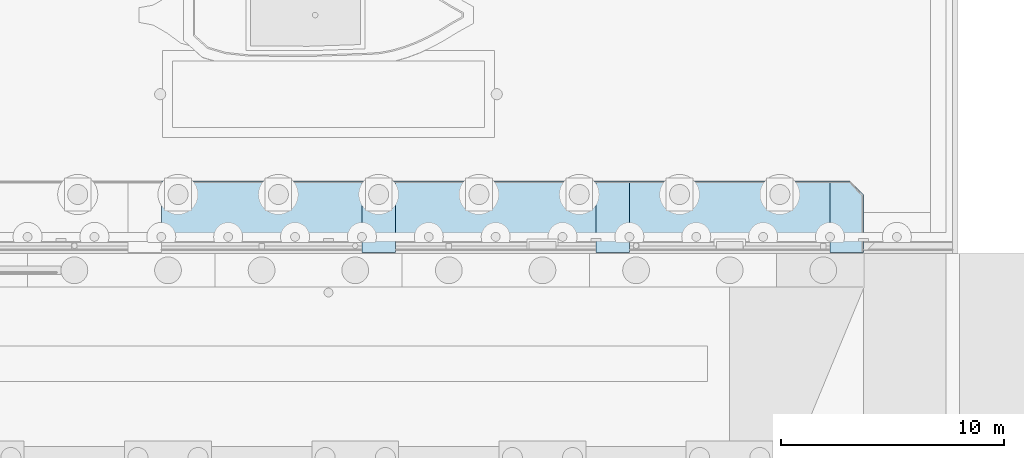
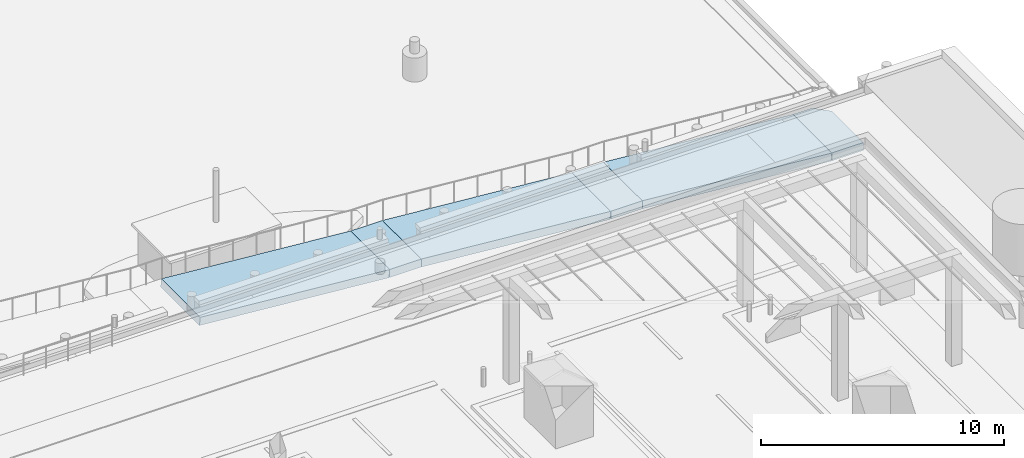
# One storey, part 87 of 222: 6 slabs.
"""IFC4 building model written with IfcOpenShell, lengths in metres."""

import ifcopenshell
import ifcopenshell.guid

model = None  # the IFC model being written
_history = None  # IfcOwnerHistory: only IFC2X3 demands one
_inside = {}  # id of a spatial element -> (the spatial element, [elements in it])
_under = {}  # id of a project, library or spatial element -> (it, [spatial elements below it])
_declared = {}  # id of a project -> (the project, [libraries it declares])
_typed = {}  # id of a type object -> (the type object, [elements of that type])
_made_of = {}  # id of a material, layer set ... -> (it, [elements and type objects made of it])


def new_model(schema):
    """Start an empty IFC model of exactly this schema.

    Asked for "IFC4X3", IfcOpenShell would pick the latest addendum, in which some entities
    have other attributes; the version numbers below select the first issue.
    IFC2X3 requires an IfcOwnerHistory on every rooted entity: one is made here for all.
    """
    global model, _history
    if schema == "IFC4X3":
        model = ifcopenshell.file(schema_version=(4, 3, 0, 0))
    else:
        model = ifcopenshell.file(schema=schema)
    _inside.clear()
    _under.clear()
    _declared.clear()
    _typed.clear()
    _made_of.clear()
    _history = None
    if model.schema == "IFC2X3":
        org = make("IfcOrganization", Name="unknown")
        user = make(
            "IfcPersonAndOrganization",
            ThePerson=make("IfcPerson", FamilyName="unknown"),
            TheOrganization=org,
        )
        app = make(
            "IfcApplication",
            ApplicationDeveloper=org,
            Version="unknown",
            ApplicationFullName="unknown",
            ApplicationIdentifier="unknown",
        )
        _history = make(
            "IfcOwnerHistory",
            OwningUser=user,
            OwningApplication=app,
            ChangeAction="ADDED",
            CreationDate=0,
        )
    return model


def make(cls, **values):
    """One entity of the class cls with the attributes given. An attribute that is None is left unset."""
    return model.create_entity(
        cls, **{name: value for name, value in values.items() if value is not None}
    )


def rooted(cls, **values):
    """An entity with a GlobalId (a new one), such as an element, a storey or a relation."""
    return make(cls, GlobalId=ifcopenshell.guid.new(), OwnerHistory=_history, **values)


def si_unit(unit_type, name, prefix=None):
    """IfcSIUnit, for example si_unit("LENGTHUNIT", "METRE", prefix="MILLI")."""
    return make("IfcSIUnit", UnitType=unit_type, Prefix=prefix, Name=name)


def assignment(units):
    """IfcUnitAssignment: the units of a project."""
    return None if units is None else make("IfcUnitAssignment", Units=units)


def point(xyz):
    """IfcCartesianPoint."""
    return None if xyz is None else make("IfcCartesianPoint", Coordinates=xyz)


def direction(xyz):
    """IfcDirection."""
    return None if xyz is None else make("IfcDirection", DirectionRatios=xyz)


def frame(location, z_axis=None, x_axis=None):
    """IfcAxis2Placement3D, a coordinate frame: its origin and axes. An axis left out is left unset."""
    return make(
        "IfcAxis2Placement3D",
        Location=point(location),
        Axis=direction(z_axis),
        RefDirection=direction(x_axis),
    )


def origin():
    """The frame at (0, 0, 0) with its axes left unset."""
    return frame((0.0, 0.0, 0.0))


def place(relative_to, where):
    """IfcLocalPlacement: puts the frame where relative to a parent placement (None: the world)."""
    return make(
        "IfcLocalPlacement", PlacementRelTo=relative_to, RelativePlacement=where
    )


def context(
    kind, dimensions, precision=None, world=None, true_north=None, identifier=None
):
    """IfcGeometricRepresentationContext, for example the 3D "Model" context."""
    return make(
        "IfcGeometricRepresentationContext",
        ContextIdentifier=identifier,
        ContextType=kind,
        CoordinateSpaceDimension=dimensions,
        Precision=precision,
        WorldCoordinateSystem=world,
        TrueNorth=true_north,
    )


def subcontext(parent, identifier, kind, view, scale=None):
    """IfcGeometricRepresentationSubContext, for example "Body" below "Model"."""
    return make(
        "IfcGeometricRepresentationSubContext",
        ContextIdentifier=identifier,
        ContextType=kind,
        ParentContext=parent,
        TargetScale=scale,
        TargetView=view,
    )


def project(units=None, contexts=None):
    """IfcProject with its units and contexts."""
    return rooted(
        "IfcProject",
        Name="project",
        RepresentationContexts=contexts,
        UnitsInContext=assignment(units),
    )


def spatial(cls, under=None, at=None, **own):
    """A site, building, storey or space (cls), placed at a placement, below another one or the project."""
    s = rooted(cls, ObjectPlacement=at, **own)
    if under is not None:
        _under.setdefault(under.id(), (under, []))[1].append(s)
    return s


def polyline(points):
    """IfcPolyline through the points."""
    return make("IfcPolyline", Points=[point(p) for p in points])


def outline(outer, holes=None, kind="AREA"):
    """IfcArbitraryClosedProfileDef: a profile drawn as a closed curve; with holes, ...WithVoids."""
    if holes is None:
        return make("IfcArbitraryClosedProfileDef", ProfileType=kind, OuterCurve=outer)
    return make(
        "IfcArbitraryProfileDefWithVoids",
        ProfileType=kind,
        OuterCurve=outer,
        InnerCurves=holes,
    )


def extrude(swept, where, along, depth):
    """IfcExtrudedAreaSolid: the profile swept, set in the frame where, extruded along a direction by depth."""
    return make(
        "IfcExtrudedAreaSolid",
        SweptArea=swept,
        Position=where,
        ExtrudedDirection=direction(along),
        Depth=depth,
    )


def shape(context_of_items, identifier, shape_type, items):
    """IfcShapeRepresentation: the items that make up one representation, for example the "Body"."""
    return make(
        "IfcShapeRepresentation",
        ContextOfItems=context_of_items,
        RepresentationIdentifier=identifier,
        RepresentationType=shape_type,
        Items=items,
    )


def material(Name=None, Category=None):
    """IfcMaterial."""
    return make("IfcMaterial", Name=Name, Category=Category)


def layer(
    of_material, thickness, ventilated=None, Name=None, Category=None, Priority=None
):
    """IfcMaterialLayer: one layer of a wall or slab, of a material (None: an air gap)."""
    return make(
        "IfcMaterialLayer",
        Material=of_material,
        LayerThickness=thickness,
        IsVentilated=ventilated,
        Name=Name,
        Category=Category,
        Priority=Priority,
    )


def layer_set(layers, Name=None):
    """IfcMaterialLayerSet."""
    return make("IfcMaterialLayerSet", MaterialLayers=layers, LayerSetName=Name)


def made_of(thing, what):
    """Note that an element or type object is made of a material, layer set ...; save() writes the relation."""
    if what is not None:
        _made_of.setdefault(what.id(), (what, []))[1].append(thing)
    return thing


def type_object(cls, material=None, **own):
    """A type object (cls), such as IfcWallType, which elements share."""
    return made_of(rooted(cls, **own), material)


def element(
    cls,
    number,
    at=None,
    inside=None,
    cuts=None,
    type_object=None,
    material=None,
    context=None,
    identifier="Body",
    shape_type=None,
    held_by="IfcProductDefinitionShape",
    body=None,
    shapes=None,
    **own,
):
    """One element of the class cls, such as IfcWall. Its Tag is "e" and its number.

    at: its placement. inside: the storey or other place that contains it. cuts: it is an
    opening in that element (IfcRelVoidsElement). A single representation is given by context,
    identifier, shape_type and body (its items); several are given by shapes. held_by: the class
    of the entity that holds the representations. save() writes the other relations.
    """
    e = rooted(cls, Tag="e%d" % number, ObjectPlacement=at, **own)
    if body is not None:
        shapes = [shape(context, identifier, shape_type, body)]
    if shapes is not None:
        e.Representation = make(held_by, Representations=shapes)
    if inside is not None:
        _inside.setdefault(inside.id(), (inside, []))[1].append(e)
    if cuts is not None:
        rooted(
            "IfcRelVoidsElement", RelatingBuildingElement=cuts, RelatedOpeningElement=e
        )
    if type_object is not None:
        _typed.setdefault(type_object.id(), (type_object, []))[1].append(e)
    return made_of(e, material)


def aggregate(whole, parts):
    """IfcRelAggregates: a whole, such as a stair, and the parts it consists of."""
    return rooted("IfcRelAggregates", RelatingObject=whole, RelatedObjects=parts)


def save(model, path):
    """Write the relations noted so far, then the file.

    IfcRelAggregates (storeys below a building ...), IfcRelContainedInSpatialStructure (elements
    in a storey), IfcRelDefinesByType, IfcRelAssociatesMaterial and IfcRelDeclares: one each for
    every whole, place, type object, material and project.
    """
    for whole, parts in _under.values():
        aggregate(whole, parts)
    for where, things in _inside.values():
        rooted(
            "IfcRelContainedInSpatialStructure",
            RelatedElements=things,
            RelatingStructure=where,
        )
    for kind, things in _typed.values():
        rooted("IfcRelDefinesByType", RelatedObjects=things, RelatingType=kind)
    for what, things in _made_of.values():
        rooted("IfcRelAssociatesMaterial", RelatedObjects=things, RelatingMaterial=what)
    for by, libraries in _declared.values():
        rooted("IfcRelDeclares", RelatingContext=by, RelatedDefinitions=libraries)
    model.write(path)


model = new_model("IFC4")

# Units and contexts
model_context = context("Model", 3, precision=1e-05, world=origin(), true_north=direction((0.0, 1.0)))
body_context = subcontext(model_context, "Body", "Model", "MODEL_VIEW")
ifc_project = project(units=[si_unit("LENGTHUNIT", "METRE"), si_unit("AREAUNIT", "SQUARE_METRE"), si_unit("VOLUMEUNIT", "CUBIC_METRE"), si_unit("PLANEANGLEUNIT", "RADIAN"), si_unit("MASSUNIT", "GRAM", prefix="KILO")], contexts=[model_context])

# Site, building, storey
site_placement = place(None, origin())
site = spatial("IfcSite", under=ifc_project, at=site_placement, CompositionType="ELEMENT")
building_placement = place(site_placement, origin())
building = spatial("IfcBuilding", under=site, at=building_placement, Name="Sava Quay Ferry Terminal", CompositionType="ELEMENT")
storey_placement = place(building_placement, origin())
storey = spatial("IfcBuildingStorey", under=building, at=storey_placement, Name="L00", CompositionType="ELEMENT", Elevation=0.0)

# Slabs
ifc_material = material(Name="Concrete C40/50", Category="concrete")
ifc_layer = layer(ifc_material, 0.39990234375)
ifc_layer_set = layer_set([ifc_layer], Name="Concrete C40/50")
slab_type = type_object("IfcSlabType", Name="RC ramp slab 400", PredefinedType="FLOOR", material=ifc_layer_set)
slab_1_placement = place(storey_placement, frame((142.5, 118.39990234375, -0.75), z_axis=(0.083045479854, 0.0, 0.996545758245), x_axis=(0.996545758245, 0.0, -0.083045479854)))
element("IfcSlab", 1, at=slab_1_placement, inside=storey, type_object=slab_type, Name="Quay ramp flight 2", PredefinedType="FLOOR", context=body_context, shape_type="SweptSolid", body=[
    extrude(outline(polyline([(0.0, 0.0), (9.031195934094223, 0.0), (9.031195934094223, 3.2001953125), (0.0, 3.2001953125), (0.0, 0.0)])), origin(), (0.0, 0.0, -1.0), 0.39990234375),
])
slab_2_placement = place(storey_placement, frame((0.0, 0.0, -1.89990234375)))
element("IfcSlab", 2, at=slab_2_placement, inside=storey, type_object=slab_type, Name="Quay ramp landing 2", PredefinedType="FLOOR", context=body_context, shape_type="SweptSolid", body=[
    extrude(outline(polyline([(151.5, 118.39990234375), (153.0, 118.39990234375), (153.0, 121.60009765625), (151.5, 121.60009765625), (151.5, 118.39990234375)])), origin(), (0.0, 0.0, 1.0), 0.39990234375),
])
slab_3_placement = place(storey_placement, frame((153.0, 118.39990234375, -1.5), z_axis=(0.083045479854, 0.0, 0.996545758245), x_axis=(0.996545758245, 0.0, -0.083045479854)))
element("IfcSlab", 3, at=slab_3_placement, inside=storey, type_object=slab_type, Name="Quay ramp flight 3", PredefinedType="FLOOR", context=body_context, shape_type="SweptSolid", body=[
    extrude(outline(polyline([(0.0, 0.0), (9.031195934094223, 0.0), (9.031195934094223, 3.2001953125), (0.0, 3.2001953125), (0.0, 0.0)])), origin(), (0.0, 0.0, -1.0), 0.39990234375),
])
slab_4_placement = place(storey_placement, frame((0.0, 0.0, -2.64990234375)))
element("IfcSlab", 4, at=slab_4_placement, inside=storey, type_object=slab_type, Name="Quay ramp landing 3", PredefinedType="FLOOR", context=body_context, shape_type="SweptSolid", body=[
    extrude(outline(polyline([(162.0, 118.39990234375), (163.5, 118.39990234375), (163.5, 121.60009765625), (162.0, 121.60009765625), (162.0, 118.39990234375)])), origin(), (0.0, 0.0, 1.0), 0.39990234375),
])
slab_5_placement = place(storey_placement, frame((163.5, 118.39990234375, -2.25), z_axis=(0.083045479854, 0.0, 0.996545758245), x_axis=(0.996545758245, 0.0, -0.083045479854)))
element("IfcSlab", 5, at=slab_5_placement, inside=storey, type_object=slab_type, Name="Quay ramp flight 4", PredefinedType="FLOOR", context=body_context, shape_type="SweptSolid", body=[
    extrude(outline(polyline([(0.0, 0.0), (9.031195934094223, 0.0), (9.031195934094223, 3.2001953125), (0.0, 3.2001953125), (0.0, 0.0)])), origin(), (0.0, 0.0, -1.0), 0.39990234375),
])
slab_6_placement = place(storey_placement, frame((0.0, 0.0, -3.39990234375)))
element("IfcSlab", 6, at=slab_6_placement, inside=storey, type_object=slab_type, Name="Quay ramp landing 4", PredefinedType="FLOOR", context=body_context, shape_type="SweptSolid", body=[
    extrude(outline(polyline([(172.5, 118.39990234375), (174.0, 118.39990234375), (174.0, 121.0), (173.39990234375, 121.60009765625), (172.5, 121.60009765625), (172.5, 118.39990234375)])), origin(), (0.0, 0.0, 1.0), 0.39990234375),
])

save(model, "model.ifc")
